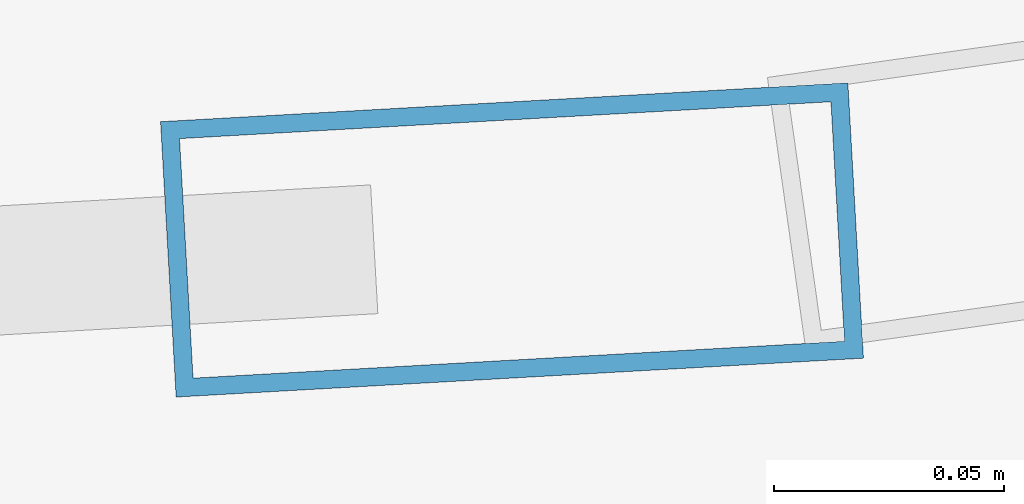
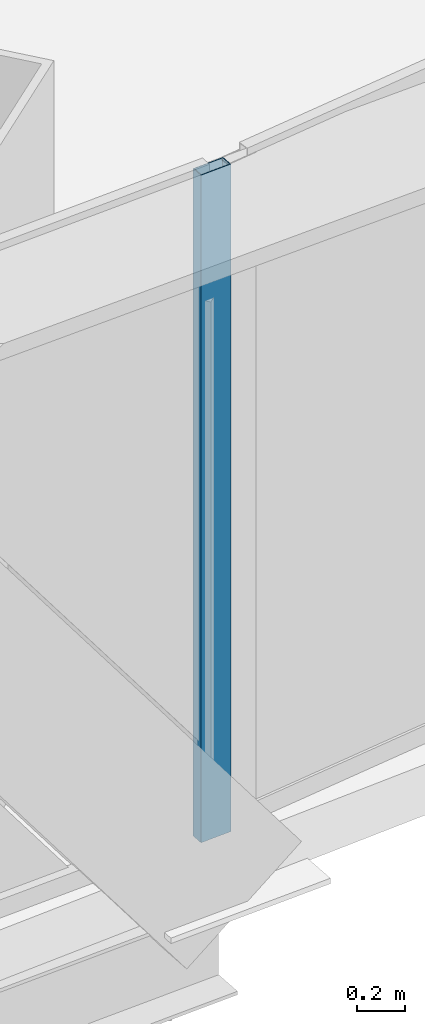
# One storey, part 14 of 40: 1 member, 1 element without a shape of its own.
"""IFC4 building model written with IfcOpenShell, lengths in metres."""

import ifcopenshell
import ifcopenshell.guid

model = None  # the IFC model being written
_history = None  # IfcOwnerHistory: only IFC2X3 demands one
_inside = {}  # id of a spatial element -> (the spatial element, [elements in it])
_under = {}  # id of a project, library or spatial element -> (it, [spatial elements below it])
_declared = {}  # id of a project -> (the project, [libraries it declares])
_typed = {}  # id of a type object -> (the type object, [elements of that type])
_made_of = {}  # id of a material, layer set ... -> (it, [elements and type objects made of it])


def new_model(schema):
    """Start an empty IFC model of exactly this schema.

    Asked for "IFC4X3", IfcOpenShell would pick the latest addendum, in which some entities
    have other attributes; the version numbers below select the first issue.
    IFC2X3 requires an IfcOwnerHistory on every rooted entity: one is made here for all.
    """
    global model, _history
    if schema == "IFC4X3":
        model = ifcopenshell.file(schema_version=(4, 3, 0, 0))
    else:
        model = ifcopenshell.file(schema=schema)
    _inside.clear()
    _under.clear()
    _declared.clear()
    _typed.clear()
    _made_of.clear()
    _history = None
    if model.schema == "IFC2X3":
        org = make("IfcOrganization", Name="unknown")
        user = make(
            "IfcPersonAndOrganization",
            ThePerson=make("IfcPerson", FamilyName="unknown"),
            TheOrganization=org,
        )
        app = make(
            "IfcApplication",
            ApplicationDeveloper=org,
            Version="unknown",
            ApplicationFullName="unknown",
            ApplicationIdentifier="unknown",
        )
        _history = make(
            "IfcOwnerHistory",
            OwningUser=user,
            OwningApplication=app,
            ChangeAction="ADDED",
            CreationDate=0,
        )
    return model


def make(cls, **values):
    """One entity of the class cls with the attributes given. An attribute that is None is left unset."""
    return model.create_entity(
        cls, **{name: value for name, value in values.items() if value is not None}
    )


def rooted(cls, **values):
    """An entity with a GlobalId (a new one), such as an element, a storey or a relation."""
    return make(cls, GlobalId=ifcopenshell.guid.new(), OwnerHistory=_history, **values)


def si_unit(unit_type, name, prefix=None):
    """IfcSIUnit, for example si_unit("LENGTHUNIT", "METRE", prefix="MILLI")."""
    return make("IfcSIUnit", UnitType=unit_type, Prefix=prefix, Name=name)


def assignment(units):
    """IfcUnitAssignment: the units of a project."""
    return None if units is None else make("IfcUnitAssignment", Units=units)


def point(xyz):
    """IfcCartesianPoint."""
    return None if xyz is None else make("IfcCartesianPoint", Coordinates=xyz)


def direction(xyz):
    """IfcDirection."""
    return None if xyz is None else make("IfcDirection", DirectionRatios=xyz)


def frame(location, z_axis=None, x_axis=None):
    """IfcAxis2Placement3D, a coordinate frame: its origin and axes. An axis left out is left unset."""
    return make(
        "IfcAxis2Placement3D",
        Location=point(location),
        Axis=direction(z_axis),
        RefDirection=direction(x_axis),
    )


def frame_2d(location, x_axis=None):
    """IfcAxis2Placement2D, a coordinate frame in the plane: its origin and x axis."""
    return make(
        "IfcAxis2Placement2D", Location=point(location), RefDirection=direction(x_axis)
    )


def origin():
    """The frame at (0, 0, 0) with its axes left unset."""
    return frame((0.0, 0.0, 0.0))


def origin_2d():
    """The frame at (0, 0) in the plane with its x axis left unset."""
    return frame_2d((0.0, 0.0))


def place(relative_to, where):
    """IfcLocalPlacement: puts the frame where relative to a parent placement (None: the world)."""
    return make(
        "IfcLocalPlacement", PlacementRelTo=relative_to, RelativePlacement=where
    )


def context(
    kind, dimensions, precision=None, world=None, true_north=None, identifier=None
):
    """IfcGeometricRepresentationContext, for example the 3D "Model" context."""
    return make(
        "IfcGeometricRepresentationContext",
        ContextIdentifier=identifier,
        ContextType=kind,
        CoordinateSpaceDimension=dimensions,
        Precision=precision,
        WorldCoordinateSystem=world,
        TrueNorth=true_north,
    )


def subcontext(parent, identifier, kind, view, scale=None):
    """IfcGeometricRepresentationSubContext, for example "Body" below "Model"."""
    return make(
        "IfcGeometricRepresentationSubContext",
        ContextIdentifier=identifier,
        ContextType=kind,
        ParentContext=parent,
        TargetScale=scale,
        TargetView=view,
    )


def project(units=None, contexts=None):
    """IfcProject with its units and contexts."""
    return rooted(
        "IfcProject",
        Name="project",
        RepresentationContexts=contexts,
        UnitsInContext=assignment(units),
    )


def spatial(cls, under=None, at=None, **own):
    """A site, building, storey or space (cls), placed at a placement, below another one or the project."""
    s = rooted(cls, ObjectPlacement=at, **own)
    if under is not None:
        _under.setdefault(under.id(), (under, []))[1].append(s)
    return s


def profile(cls, at=None, kind="AREA", **sizes):
    """A parametric profile (cls). Its sizes go by their IFC names, for example OverallWidth=200.0."""
    return make(cls, ProfileType=kind, Position=at, **sizes)


def hollow_rectangle(**sizes):
    """IfcRectangleHollowProfileDef."""
    return profile("IfcRectangleHollowProfileDef", **sizes)


def extrude(swept, where, along, depth):
    """IfcExtrudedAreaSolid: the profile swept, set in the frame where, extruded along a direction by depth."""
    return make(
        "IfcExtrudedAreaSolid",
        SweptArea=swept,
        Position=where,
        ExtrudedDirection=direction(along),
        Depth=depth,
    )


def shape(context_of_items, identifier, shape_type, items):
    """IfcShapeRepresentation: the items that make up one representation, for example the "Body"."""
    return make(
        "IfcShapeRepresentation",
        ContextOfItems=context_of_items,
        RepresentationIdentifier=identifier,
        RepresentationType=shape_type,
        Items=items,
    )


def source(mapping_origin, context_of_items, identifier, shape_type, items):
    """IfcRepresentationMap: a shape defined once, which mapped items show again and again."""
    return make(
        "IfcRepresentationMap",
        MappingOrigin=mapping_origin,
        MappedRepresentation=shape(context_of_items, identifier, shape_type, items),
    )


def transform(
    local_origin,
    x_axis=None,
    y_axis=None,
    z_axis=None,
    scale=None,
    scale2=None,
    scale3=None,
    uniform=True,
):
    """IfcCartesianTransformationOperator3D, or its non-uniform kind. x_axis, y_axis, z_axis: its Axis1, 2, 3."""
    if uniform:
        return make(
            "IfcCartesianTransformationOperator3D",
            Axis1=direction(x_axis),
            Axis2=direction(y_axis),
            LocalOrigin=point(local_origin),
            Scale=scale,
            Axis3=direction(z_axis),
        )
    return make(
        "IfcCartesianTransformationOperator3DnonUniform",
        Axis1=direction(x_axis),
        Axis2=direction(y_axis),
        LocalOrigin=point(local_origin),
        Scale=scale,
        Axis3=direction(z_axis),
        Scale2=scale2,
        Scale3=scale3,
    )


def mapped(mapping_source, mapping_target):
    """IfcMappedItem: shows the shape of a source again, moved by a transform."""
    return make(
        "IfcMappedItem", MappingSource=mapping_source, MappingTarget=mapping_target
    )


def material(Name=None, Category=None):
    """IfcMaterial."""
    return make("IfcMaterial", Name=Name, Category=Category)


def layer(
    of_material, thickness, ventilated=None, Name=None, Category=None, Priority=None
):
    """IfcMaterialLayer: one layer of a wall or slab, of a material (None: an air gap)."""
    return make(
        "IfcMaterialLayer",
        Material=of_material,
        LayerThickness=thickness,
        IsVentilated=ventilated,
        Name=Name,
        Category=Category,
        Priority=Priority,
    )


def layer_set(layers, Name=None):
    """IfcMaterialLayerSet."""
    return make("IfcMaterialLayerSet", MaterialLayers=layers, LayerSetName=Name)


def material_profile(
    of_material, cross_section, Name=None, Category=None, Priority=None
):
    """IfcMaterialProfile: a cross section and its material."""
    return make(
        "IfcMaterialProfile",
        Name=Name,
        Material=of_material,
        Profile=cross_section,
        Priority=Priority,
        Category=Category,
    )


def profile_set(profiles, Name=None, composite=None):
    """IfcMaterialProfileSet."""
    return make(
        "IfcMaterialProfileSet",
        Name=Name,
        MaterialProfiles=profiles,
        CompositeProfile=composite,
    )


def made_of(thing, what):
    """Note that an element or type object is made of a material, layer set ...; save() writes the relation."""
    if what is not None:
        _made_of.setdefault(what.id(), (what, []))[1].append(thing)
    return thing


def type_object(cls, material=None, **own):
    """A type object (cls), such as IfcWallType, which elements share."""
    return made_of(rooted(cls, **own), material)


def element(
    cls,
    number,
    at=None,
    inside=None,
    cuts=None,
    type_object=None,
    material=None,
    context=None,
    identifier="Body",
    shape_type=None,
    held_by="IfcProductDefinitionShape",
    body=None,
    shapes=None,
    **own,
):
    """One element of the class cls, such as IfcWall. Its Tag is "e" and its number.

    at: its placement. inside: the storey or other place that contains it. cuts: it is an
    opening in that element (IfcRelVoidsElement). A single representation is given by context,
    identifier, shape_type and body (its items); several are given by shapes. held_by: the class
    of the entity that holds the representations. save() writes the other relations.
    """
    e = rooted(cls, Tag="e%d" % number, ObjectPlacement=at, **own)
    if body is not None:
        shapes = [shape(context, identifier, shape_type, body)]
    if shapes is not None:
        e.Representation = make(held_by, Representations=shapes)
    if inside is not None:
        _inside.setdefault(inside.id(), (inside, []))[1].append(e)
    if cuts is not None:
        rooted(
            "IfcRelVoidsElement", RelatingBuildingElement=cuts, RelatedOpeningElement=e
        )
    if type_object is not None:
        _typed.setdefault(type_object.id(), (type_object, []))[1].append(e)
    return made_of(e, material)


def aggregate(whole, parts):
    """IfcRelAggregates: a whole, such as a stair, and the parts it consists of."""
    return rooted("IfcRelAggregates", RelatingObject=whole, RelatedObjects=parts)


def save(model, path):
    """Write the relations noted so far, then the file.

    IfcRelAggregates (storeys below a building ...), IfcRelContainedInSpatialStructure (elements
    in a storey), IfcRelDefinesByType, IfcRelAssociatesMaterial and IfcRelDeclares: one each for
    every whole, place, type object, material and project.
    """
    for whole, parts in _under.values():
        aggregate(whole, parts)
    for where, things in _inside.values():
        rooted(
            "IfcRelContainedInSpatialStructure",
            RelatedElements=things,
            RelatingStructure=where,
        )
    for kind, things in _typed.values():
        rooted("IfcRelDefinesByType", RelatedObjects=things, RelatingType=kind)
    for what, things in _made_of.values():
        rooted("IfcRelAssociatesMaterial", RelatedObjects=things, RelatingMaterial=what)
    for by, libraries in _declared.values():
        rooted("IfcRelDeclares", RelatingContext=by, RelatedDefinitions=libraries)
    model.write(path)


model = new_model("IFC4")

# Units and contexts
model_context = context("Model", 3, precision=1e-05, world=origin(), true_north=direction((0.0, 1.0)))
body_context = subcontext(model_context, "Body", "Model", "MODEL_VIEW")
ifc_project = project(units=[si_unit("LENGTHUNIT", "METRE"), si_unit("AREAUNIT", "SQUARE_METRE"), si_unit("VOLUMEUNIT", "CUBIC_METRE"), si_unit("PLANEANGLEUNIT", "RADIAN"), si_unit("MASSUNIT", "GRAM", prefix="KILO"), si_unit("THERMODYNAMICTEMPERATUREUNIT", "KELVIN"), si_unit("POWERUNIT", "WATT")], contexts=[model_context])

# Site, building, storey
site_placement = place(None, origin())
site = spatial("IfcSite", under=ifc_project, at=site_placement, CompositionType="ELEMENT")
building_placement = place(site_placement, origin())
building = spatial("IfcBuilding", under=site, at=building_placement, Name="Yunzhuo Pagoda Commons", CompositionType="ELEMENT")
storey_placement = place(building_placement, frame((0.0, 0.0, 159.27001953125)))
storey = spatial("IfcBuildingStorey", under=building, at=storey_placement, Name="L40", CompositionType="ELEMENT", Elevation=159.27001953125)

# Curtain wall, member
ifc_material = material(Name="Anodized aluminium 6063-T6", Category="aluminium")
ifc_layer = layer(ifc_material, 0.14990234375)
ifc_layer_set = layer_set([ifc_layer], Name="Anodized aluminium 6063-T6")
curtain_wall_type = type_object("IfcCurtainWallType", Name="CW-MID Mid-Zone Ribbon Curtain Wall", PredefinedType="NOTDEFINED", material=ifc_layer_set)
curtain_wall_placement = place(storey_placement, origin())
curtain_wall = element("IfcCurtainWall", 1, at=curtain_wall_placement, inside=storey, type_object=curtain_wall_type, Name="L40 curtain wall CW-L40-F1B4", PredefinedType="NOTDEFINED")
ifc_material_profile = material_profile(ifc_material, hollow_rectangle(XDim=0.06005859375, YDim=0.14990234375, WallThickness=0.00390625, at=origin_2d()), Name="Anodized aluminium 6063-T6")
ifc_profile_set = profile_set([ifc_material_profile], Name="Anodized aluminium 6063-T6")
member_type = type_object("IfcMemberType", Name="CW-MID-M Mullion RHS 150x60x4", PredefinedType="MULLION", material=ifc_profile_set)
shared_shape = source(origin(), body_context, "Body", "SweptSolid", [
    extrude(hollow_rectangle(XDim=0.06005859375, YDim=0.14990234375, WallThickness=0.00390625, at=origin_2d()), origin(), (0.0, 0.0, 1.0), 3.419677734375),
])
member_placement = place(storey_placement, frame((64.44287109375, 14.067138671875, 0.000244140625), z_axis=(0.0, 0.0, 1.0), x_axis=(-0.056459249567, 0.998404904404, 0.0)))
member = element("IfcMember", 2, at=member_placement, type_object=member_type, Name="CW mullion 2", PredefinedType="MULLION", context=body_context, shape_type="MappedRepresentation", body=[
    mapped(shared_shape, transform((0.0, 0.0, 0.0), scale=1.0)),
])
aggregate(curtain_wall, [member])

save(model, "model.ifc")
